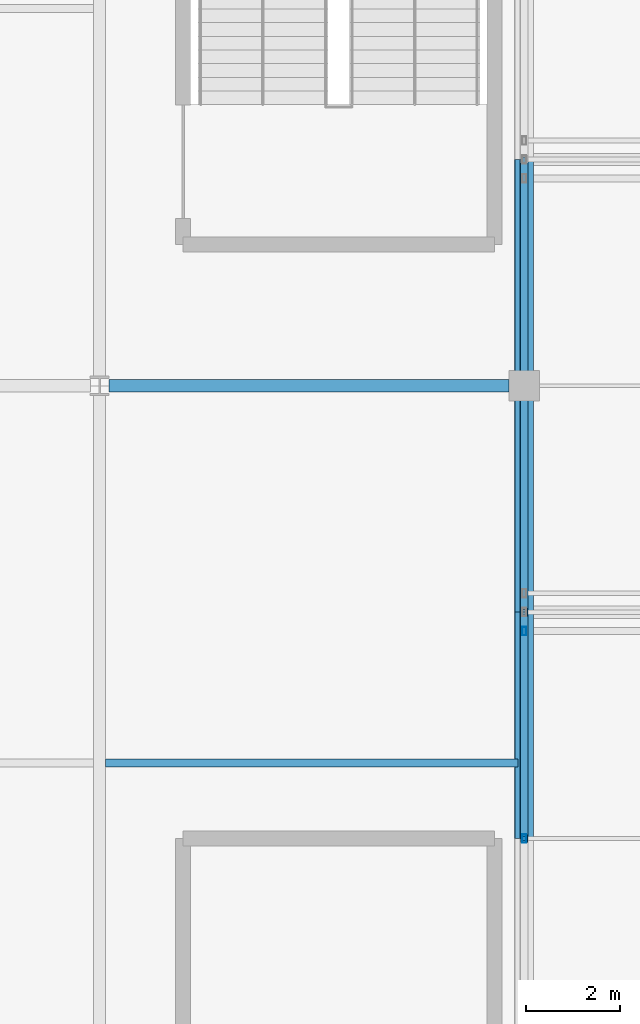
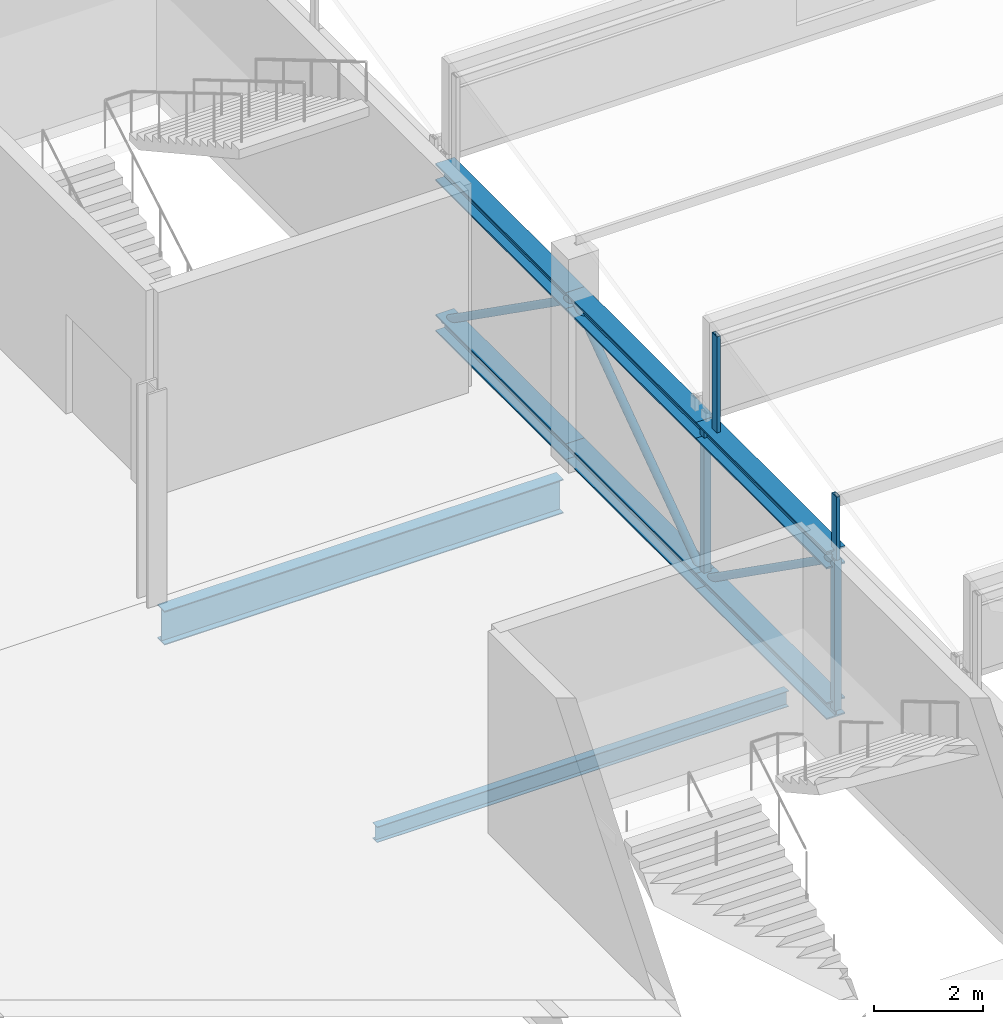
# One storey, part 17 of 136: 8 beams, 7 members.
"""IFC4 building model written with IfcOpenShell, lengths in metres."""

from ifc_helpers import new_model, si_unit, direction, frame, origin, origin_2d, place, context, subcontext, project, spatial, hollow_rectangle, hollow_circle, i_section, extrude, material, material_profile, profile_set, type_object, element, save


model = new_model("IFC4")

# Units and contexts
model_context = context("Model", 3, precision=1e-05, world=origin(), true_north=direction((0.0, 1.0)))
body_context = subcontext(model_context, "Body", "Model", "MODEL_VIEW")
ifc_project = project(units=[si_unit("LENGTHUNIT", "METRE"), si_unit("AREAUNIT", "SQUARE_METRE"), si_unit("VOLUMEUNIT", "CUBIC_METRE"), si_unit("PLANEANGLEUNIT", "RADIAN"), si_unit("MASSUNIT", "GRAM", prefix="KILO")], contexts=[model_context])

# Site, building, storey
site_placement = place(None, origin())
site = spatial("IfcSite", under=ifc_project, at=site_placement, CompositionType="ELEMENT")
building_placement = place(site_placement, origin())
building = spatial("IfcBuilding", under=site, at=building_placement, Name="Kisiwana Market Hall", CompositionType="ELEMENT")
storey_placement = place(building_placement, frame((0.0, 0.0, 16.800048828125)))
storey = spatial("IfcBuildingStorey", under=building, at=storey_placement, Name="L03", CompositionType="ELEMENT", Elevation=16.800048828125)

# Beams
ifc_material_1 = material(Name="Steel S355", Category="steel")
ifc_material_profile_1 = material_profile(ifc_material_1, i_section(OverallWidth=0.2666015625, OverallDepth=0.76220703125, WebThickness=0.014404296875, FlangeThickness=0.021484375, at=origin_2d()), Name="UB 762x267x173")
ifc_profile_set_1 = profile_set([ifc_material_profile_1], Name="Steel S355")
beam_type_1 = type_object("IfcBeamType", Name="BM-GIRD-UB762", PredefinedType="BEAM", material=ifc_profile_set_1)
beam_1_placement = place(storey_placement, frame((36.198974609375, 60.0, -0.631103515625), z_axis=(1.0, 0.0, 0.0), x_axis=(0.0, 1.0, 0.0)))
element("IfcBeam", 1, at=beam_1_placement, inside=storey, type_object=beam_type_1, Name="Floor beam B-0849", PredefinedType="BEAM", context=body_context, shape_type="SweptSolid", body=[
    extrude(i_section(OverallWidth=0.2666015625, OverallDepth=0.76220703125, WebThickness=0.014404296875, FlangeThickness=0.021484375, at=origin_2d()), origin(), (0.0, 0.0, 1.0), 8.47998046875),
])
ifc_material_2 = material(Name="Steel S355", Category="steel")
ifc_material_profile_2 = material_profile(ifc_material_2, i_section(OverallWidth=0.17138671875, OverallDepth=0.35498046875, WebThickness=0.00732421875, FlangeThickness=0.011474609375, at=origin_2d()), Name="UB 356x171x51")
ifc_profile_set_2 = profile_set([ifc_material_profile_2], Name="Steel S355")
beam_type_2 = type_object("IfcBeamType", Name="BM-JOIST-UB356", PredefinedType="JOIST", material=ifc_profile_set_2)
beam_2_placement = place(storey_placement, frame((36.125732421875, 52.0, -0.427490234375), z_axis=(1.0, 0.0, 0.0), x_axis=(0.0, 1.0, 0.0)))
element("IfcBeam", 2, at=beam_2_placement, inside=storey, type_object=beam_type_2, Name="Secondary floor joist B-0952", PredefinedType="JOIST", context=body_context, shape_type="SweptSolid", body=[
    extrude(i_section(OverallWidth=0.17138671875, OverallDepth=0.35498046875, WebThickness=0.00732421875, FlangeThickness=0.011474609375, at=origin_2d()), origin(), (0.0, 0.0, 1.0), 8.74853515625),
])
ifc_material_3 = material(Name="Steel S355", Category="steel")
ifc_material_profile_3 = material_profile(ifc_material_3, i_section(OverallWidth=0.394775390625, OverallDepth=0.381103515625, WebThickness=0.018310546875, FlangeThickness=0.0302734375, at=origin_2d()), Name="UC 356x406x235")
ifc_profile_set_3 = profile_set([ifc_material_profile_3], Name="Steel S355")
beam_type_3 = type_object("IfcBeamType", Name="BM-TRUSS-BOT", PredefinedType="USERDEFINED", material=ifc_profile_set_3)
for number, where, z_axis, x_axis, name in (
    (3, (45.0, 50.39990234375, 0.22998046875), (0.0, 1.0, 0.0), (-1.0, 0.0, 0.0), "TR-01 BC panel 4 B-1181"),
    (4, (45.0, 55.199951171875, 0.22998046875), (0.0, 1.0, 0.0), (-1.0, 0.0, 0.0), "TR-01 BC panel 5 B-1182"),
    (5, (45.0, 60.0, 0.22998046875), (0.0, 1.0, 0.0), (-1.0, 0.0, 0.0), "TR-01 BC panel 6 B-1183"),
):
    element("IfcBeam", number, at=place(storey_placement, frame(where, z_axis=z_axis, x_axis=x_axis)), inside=storey, type_object=beam_type_3, Name=name, ObjectType="ROOF TRUSS", PredefinedType="USERDEFINED", context=body_context, shape_type="SweptSolid", body=[
        extrude(i_section(OverallWidth=0.394775390625, OverallDepth=0.381103515625, WebThickness=0.018310546875, FlangeThickness=0.0302734375, at=origin_2d()), origin(), (0.0, 0.0, 1.0), 4.800048828125),
    ])
ifc_material_4 = material(Name="Steel S355", Category="steel")
ifc_material_profile_4 = material_profile(ifc_material_4, i_section(OverallWidth=0.39892578125, OverallDepth=0.3935546875, WebThickness=0.022705078125, FlangeThickness=0.03662109375, at=origin_2d()), Name="UC 356x406x287")
ifc_profile_set_4 = profile_set([ifc_material_profile_4], Name="Steel S355")
beam_type_4 = type_object("IfcBeamType", Name="BM-TRUSS-TOP", PredefinedType="USERDEFINED", material=ifc_profile_set_4)
for number, where, z_axis, x_axis, name in (
    (6, (45.0, 50.39990234375, 3.619873046875), (0.0, 1.0, 0.0), (-1.0, 0.0, 0.0), "TR-01 TC panel 4 B-1191"),
    (7, (45.0, 55.199951171875, 3.619873046875), (0.0, 1.0, 0.0), (-1.0, 0.0, 0.0), "TR-01 TC panel 5 B-1192"),
    (8, (45.0, 60.0, 3.619873046875), (0.0, 1.0, 0.0), (-1.0, 0.0, 0.0), "TR-01 TC panel 6 B-1193"),
):
    element("IfcBeam", number, at=place(storey_placement, frame(where, z_axis=z_axis, x_axis=x_axis)), inside=storey, type_object=beam_type_4, Name=name, ObjectType="ROOF TRUSS", PredefinedType="USERDEFINED", context=body_context, shape_type="SweptSolid", body=[
        extrude(i_section(OverallWidth=0.39892578125, OverallDepth=0.3935546875, WebThickness=0.022705078125, FlangeThickness=0.03662109375, at=origin_2d()), origin(), (0.0, 0.0, 1.0), 4.800048828125),
    ])

# Members
ifc_material_5 = material(Name="Steel S355", Category="steel")
ifc_material_profile_5 = material_profile(ifc_material_5, hollow_rectangle(XDim=0.080078125, YDim=0.179931640625, WallThickness=0.00634765625, at=origin_2d()), Name="RHS 180x80x6.3")
ifc_profile_set_5 = profile_set([ifc_material_profile_5], Name="Steel S355")
member_type_1 = type_object("IfcMemberType", Name="MB-CAN-STRUT", PredefinedType="STRUT", material=ifc_profile_set_5)
member_1_placement = place(storey_placement, frame((45.0, 54.800048828125, 3.619873046875), z_axis=(0.0, 0.0, 1.0), x_axis=(1.0, 0.0, 0.0)))
element("IfcMember", 9, at=member_1_placement, inside=storey, type_object=member_type_1, Name="Sawtooth raker post 199 M-0249", PredefinedType="STRUT", context=body_context, shape_type="SweptSolid", body=[
    extrude(hollow_rectangle(XDim=0.080078125, YDim=0.179931640625, WallThickness=0.00634765625, at=origin_2d()), origin(), (0.0, 0.0, 1.0), 2.355712890625),
])
member_2_placement = place(storey_placement, frame((45.0, 50.39990234375, 3.619873046875), z_axis=(0.0, 0.0, 1.0), x_axis=(1.0, 0.0, 0.0)))
element("IfcMember", 10, at=member_2_placement, inside=storey, type_object=member_type_1, Name="Sawtooth mid-slope raker post 16 M-0061", PredefinedType="STRUT", context=body_context, shape_type="SweptSolid", body=[
    extrude(hollow_rectangle(XDim=0.080078125, YDim=0.179931640625, WallThickness=0.00634765625, at=origin_2d()), origin(), (0.0, 0.0, 1.0), 1.42041015625),
])
ifc_material_6 = material(Name="Steel S355", Category="steel")
ifc_material_profile_6 = material_profile(ifc_material_6, hollow_circle(Radius=0.084228515625, WallThickness=0.010009765625, at=origin_2d()), Name="CHS 168.3x10.0")
ifc_profile_set_6 = profile_set([ifc_material_profile_6], Name="Steel S355")
member_type_2 = type_object("IfcMemberType", Name="MB-TR-DIAG168", PredefinedType="BRACE", material=ifc_profile_set_6)
for number, where, z_axis, x_axis, name in (
    (11, (45.0, 50.39990234375, 3.619873046875), (0.0, 0.816837735077, -0.576867501732), (-1.0, 0.0, 0.0), "TR-01 diagonal 4 M-0340"),
    (12, (45.0, 55.199951171875, 0.22998046875), (0.0, 0.816837735077, 0.576867501732), (-1.0, 0.0, 0.0), "TR-01 diagonal 5 M-0341"),
    (13, (45.0, 60.0, 3.619873046875), (0.0, 0.816837735077, -0.576867501732), (-1.0, 0.0, 0.0), "TR-01 diagonal 6 M-0342"),
):
    element("IfcMember", number, at=place(storey_placement, frame(where, z_axis=z_axis, x_axis=x_axis)), inside=storey, type_object=member_type_2, Name=name, PredefinedType="BRACE", context=body_context, shape_type="SweptSolid", body=[
        extrude(hollow_circle(Radius=0.084228515625, WallThickness=0.010009765625, at=origin_2d()), origin(), (0.0, 0.0, 1.0), 5.87646484375),
    ])
ifc_material_7 = material(Name="Steel S355", Category="steel")
ifc_material_profile_7 = material_profile(ifc_material_7, hollow_rectangle(XDim=0.14990234375, YDim=0.14990234375, WallThickness=0.008056640625, at=origin_2d()), Name="SHS 150x150x8.0")
ifc_profile_set_7 = profile_set([ifc_material_profile_7], Name="Steel S355")
member_type_3 = type_object("IfcMemberType", Name="MB-TR-STRUT200", PredefinedType="STRUT", material=ifc_profile_set_7)
for number, where, z_axis, x_axis, name in (
    (14, (45.0, 50.39990234375, 0.22998046875), (0.0, 0.0, 1.0), (1.0, 0.0, 0.0), "TR-01 vertical strut 4 M-0349"),
    (15, (45.0, 55.199951171875, 0.22998046875), (0.0, 0.0, 1.0), (1.0, 0.0, 0.0), "TR-01 vertical strut 5 M-0350"),
):
    element("IfcMember", number, at=place(storey_placement, frame(where, z_axis=z_axis, x_axis=x_axis)), inside=storey, type_object=member_type_3, Name=name, PredefinedType="STRUT", context=body_context, shape_type="SweptSolid", body=[
        extrude(hollow_rectangle(XDim=0.14990234375, YDim=0.14990234375, WallThickness=0.008056640625, at=origin_2d()), origin(), (0.0, 0.0, 1.0), 3.389892578125),
    ])

save(model, "model.ifc")
